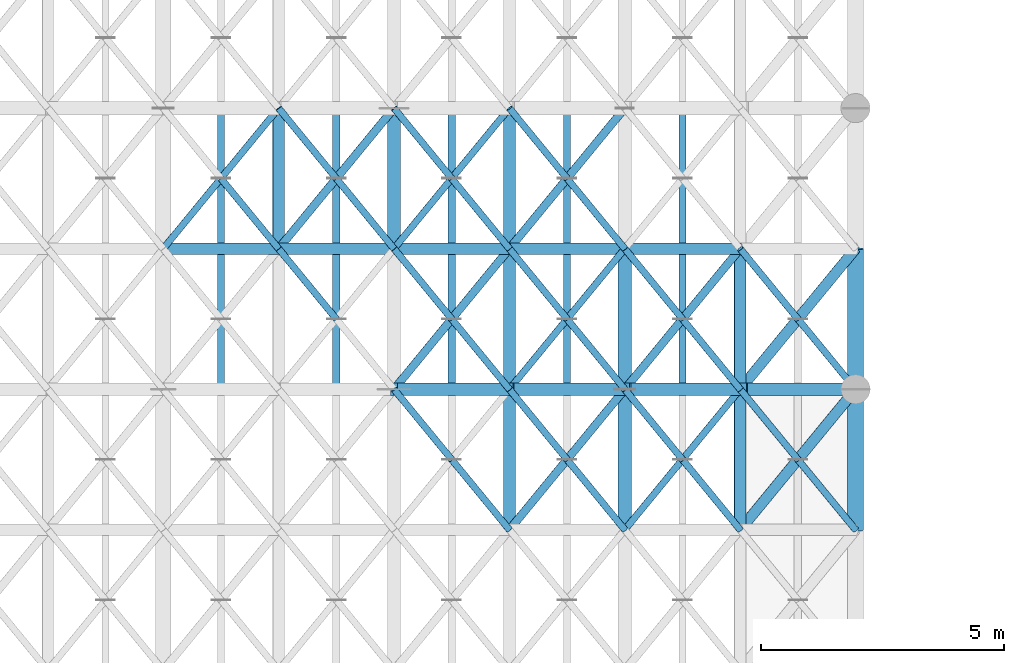
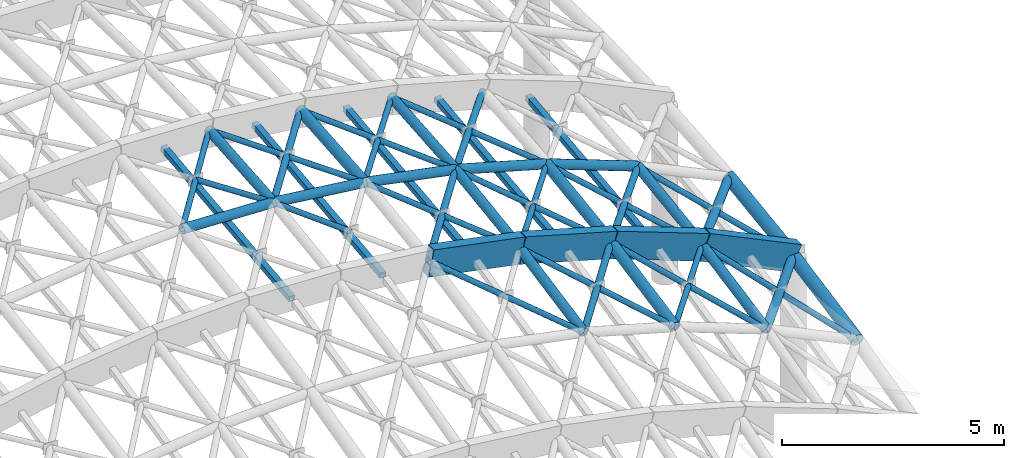
# One storey, part 41 of 146: 56 members, 4 beams.
"""IFC4 building model written with IfcOpenShell, lengths in metres."""

from ifc_helpers import new_model, si_unit, direction, frame, origin, origin_2d, place, context, subcontext, project, spatial, rectangle, hollow_rectangle, hollow_circle, extrude, material, material_profile, profile_set, type_object, element, save


model = new_model("IFC4")

# Units and contexts
model_context = context("Model", 3, precision=1e-05, world=origin(), true_north=direction((0.0, 1.0)))
body_context = subcontext(model_context, "Body", "Model", "MODEL_VIEW")
ifc_project = project(units=[si_unit("LENGTHUNIT", "METRE"), si_unit("AREAUNIT", "SQUARE_METRE"), si_unit("VOLUMEUNIT", "CUBIC_METRE"), si_unit("PLANEANGLEUNIT", "RADIAN"), si_unit("MASSUNIT", "GRAM", prefix="KILO")], contexts=[model_context])

# Site, building, storey
site_placement = place(None, origin())
site = spatial("IfcSite", under=ifc_project, at=site_placement, CompositionType="ELEMENT")
building_placement = place(site_placement, origin())
building = spatial("IfcBuilding", under=site, at=building_placement, Name="Valcora Specialist Clinic", CompositionType="ELEMENT")
storey_placement = place(building_placement, frame((0.0, 0.0, 9.52001953125)))
storey = spatial("IfcBuildingStorey", under=building, at=storey_placement, Name="L02", CompositionType="ELEMENT", Elevation=9.52001953125)

# Beams
ifc_material_1 = material(Name="Glulam Conifer Class 24F", Category="wood")
ifc_material_profile_1 = material_profile(ifc_material_1, rectangle(XDim=0.260009765625, YDim=0.719970703125, at=origin_2d()), Name="GL-ARC-260X720")
ifc_profile_set_1 = profile_set([ifc_material_profile_1], Name="Glulam Conifer Class 24F")
beam_type = type_object("IfcBeamType", Name="TY-AR-GL720", PredefinedType="JOIST", material=ifc_profile_set_1)
beam_1_placement = place(storey_placement, frame((19.75, 50.321044921875, 7.296142578125), z_axis=(0.980592304853, 0.0, -0.19605798036), x_axis=(0.0, 1.0, 0.0)))
element("IfcBeam", 1, at=beam_1_placement, inside=storey, type_object=beam_type, Name="Gridshell glulam arch chord BM-GSA-033", PredefinedType="JOIST", context=body_context, shape_type="SweptSolid", body=[
    extrude(rectangle(XDim=0.260009765625, YDim=0.719970703125, at=origin_2d()), origin(), (0.0, 0.0, 1.0), 2.422119140625),
])
beam_2_placement = place(storey_placement, frame((22.125, 50.321044921875, 6.8212890625), z_axis=(0.961639501517, 0.0, -0.274316366849), x_axis=(0.0, 1.0, 0.0)))
element("IfcBeam", 2, at=beam_2_placement, inside=storey, type_object=beam_type, Name="Gridshell glulam arch chord BM-GSA-034", PredefinedType="JOIST", context=body_context, shape_type="SweptSolid", body=[
    extrude(rectangle(XDim=0.260009765625, YDim=0.719970703125, at=origin_2d()), origin(), (0.0, 0.0, 1.0), 2.4697265625),
])
beam_3_placement = place(storey_placement, frame((24.5, 50.321044921875, 6.143798828125), z_axis=(0.935663448479, 0.0, -0.352893625871), x_axis=(0.0, 1.0, 0.0)))
element("IfcBeam", 3, at=beam_3_placement, inside=storey, type_object=beam_type, Name="Gridshell glulam arch chord BM-GSA-035", PredefinedType="JOIST", context=body_context, shape_type="SweptSolid", body=[
    extrude(rectangle(XDim=0.260009765625, YDim=0.719970703125, at=origin_2d()), origin(), (0.0, 0.0, 1.0), 2.538330078125),
])
beam_4_placement = place(storey_placement, frame((26.875, 50.321044921875, 5.248046875), z_axis=(0.902225234529, 0.0, -0.431265146028), x_axis=(0.0, 1.0, 0.0)))
element("IfcBeam", 4, at=beam_4_placement, inside=storey, type_object=beam_type, Name="Gridshell glulam arch chord BM-GSA-036", PredefinedType="JOIST", context=body_context, shape_type="SweptSolid", body=[
    extrude(rectangle(XDim=0.260009765625, YDim=0.719970703125, at=origin_2d()), origin(), (0.0, 0.0, 1.0), 2.63232421875),
])

# Members
ifc_material_2 = material(Name="Steel ASTM A500 Grade C", Category="steel")
ifc_material_profile_2 = material_profile(ifc_material_2, hollow_circle(Radius=0.1220703125, WallThickness=0.010009765625, at=origin_2d()), Name="ST-CHS-244X10")
ifc_profile_set_2 = profile_set([ifc_material_profile_2], Name="Steel ASTM A500 Grade C")
member_type_1 = type_object("IfcMemberType", Name="TY-MB-GSC244", PredefinedType="CHORD", material=ifc_profile_set_2)
member_1_placement = place(storey_placement, frame((17.375, 53.214111328125, 7.98388671875), z_axis=(0.0, 0.99650678891, 0.083511793517), x_axis=(-1.0, 0.0, 0.0)))
element("IfcMember", 5, at=member_1_placement, inside=storey, type_object=member_type_1, Name="Gridshell longitudinal chord MB-L02-0104", PredefinedType="CHORD", context=body_context, shape_type="SweptSolid", body=[
    extrude(hollow_circle(Radius=0.1220703125, WallThickness=0.010009765625, at=origin_2d()), origin(), (0.0, 0.0, 1.0), 2.903076171875),
])
member_2_placement = place(storey_placement, frame((22.125, 47.428955078125, 6.2470703125), z_axis=(0.0, 0.980853597768, 0.194746552587), x_axis=(-1.0, 0.0, 0.0)))
element("IfcMember", 6, at=member_2_placement, inside=storey, type_object=member_type_1, Name="Gridshell longitudinal chord MB-L02-0130", PredefinedType="CHORD", context=body_context, shape_type="SweptSolid", body=[
    extrude(hollow_circle(Radius=0.1220703125, WallThickness=0.010009765625, at=origin_2d()), origin(), (0.0, 0.0, 1.0), 2.948486328125),
])
member_3_placement = place(storey_placement, frame((22.125, 50.321044921875, 6.8212890625), z_axis=(0.0, 0.990272777431, 0.139139592778), x_axis=(-1.0, 0.0, 0.0)))
element("IfcMember", 7, at=member_3_placement, inside=storey, type_object=member_type_1, Name="Gridshell longitudinal chord MB-L02-0131", PredefinedType="CHORD", context=body_context, shape_type="SweptSolid", body=[
    extrude(hollow_circle(Radius=0.1220703125, WallThickness=0.010009765625, at=origin_2d()), origin(), (0.0, 0.0, 1.0), 2.92138671875),
])
member_4_placement = place(storey_placement, frame((22.125, 53.214111328125, 7.227783203125), z_axis=(0.0, 0.99650678891, 0.083511793517), x_axis=(-1.0, 0.0, 0.0)))
element("IfcMember", 8, at=member_4_placement, inside=storey, type_object=member_type_1, Name="Gridshell longitudinal chord MB-L02-0132", PredefinedType="CHORD", context=body_context, shape_type="SweptSolid", body=[
    extrude(hollow_circle(Radius=0.1220703125, WallThickness=0.010009765625, at=origin_2d()), origin(), (0.0, 0.0, 1.0), 2.903076171875),
])
member_5_placement = place(storey_placement, frame((26.875, 47.428955078125, 4.673583984375), z_axis=(0.0, 0.980837778433, 0.194826210759), x_axis=(-1.0, 0.0, 0.0)))
element("IfcMember", 9, at=member_5_placement, inside=storey, type_object=member_type_1, Name="Gridshell longitudinal chord MB-L02-0158", PredefinedType="CHORD", context=body_context, shape_type="SweptSolid", body=[
    extrude(hollow_circle(Radius=0.1220703125, WallThickness=0.010009765625, at=origin_2d()), origin(), (0.0, 0.0, 1.0), 2.948486328125),
])
member_6_placement = place(storey_placement, frame((26.875, 50.321044921875, 5.248046875), z_axis=(0.0, 0.990272777431, 0.139139592778), x_axis=(-1.0, 0.0, 0.0)))
element("IfcMember", 10, at=member_6_placement, inside=storey, type_object=member_type_1, Name="Gridshell longitudinal chord MB-L02-0159", PredefinedType="CHORD", context=body_context, shape_type="SweptSolid", body=[
    extrude(hollow_circle(Radius=0.1220703125, WallThickness=0.010009765625, at=origin_2d()), origin(), (0.0, 0.0, 1.0), 2.92138671875),
])
member_7_placement = place(storey_placement, frame((15.0, 53.214111328125, 8.0771484375), z_axis=(0.999229898969, 0.0, -0.039237851707), x_axis=(0.0, 1.0, 0.0)))
element("IfcMember", 11, at=member_7_placement, inside=storey, type_object=member_type_1, Name="Gridshell secondary transverse chord MB-L02-0297", PredefinedType="CHORD", context=body_context, shape_type="SweptSolid", body=[
    extrude(hollow_circle(Radius=0.1220703125, WallThickness=0.010009765625, at=origin_2d()), origin(), (0.0, 0.0, 1.0), 2.376708984375),
])
member_8_placement = place(storey_placement, frame((17.375, 53.214111328125, 7.98388671875), z_axis=(0.993061123194, 0.0, -0.117599343536), x_axis=(0.0, 1.0, 0.0)))
element("IfcMember", 12, at=member_8_placement, inside=storey, type_object=member_type_1, Name="Gridshell secondary transverse chord MB-L02-0298", PredefinedType="CHORD", context=body_context, shape_type="SweptSolid", body=[
    extrude(hollow_circle(Radius=0.1220703125, WallThickness=0.010009765625, at=origin_2d()), origin(), (0.0, 0.0, 1.0), 2.3916015625),
])
member_9_placement = place(storey_placement, frame((19.75, 53.214111328125, 7.70263671875), z_axis=(0.980592304853, 0.0, -0.19605798036), x_axis=(0.0, 1.0, 0.0)))
element("IfcMember", 13, at=member_9_placement, inside=storey, type_object=member_type_1, Name="Gridshell secondary transverse chord MB-L02-0299", PredefinedType="CHORD", context=body_context, shape_type="SweptSolid", body=[
    extrude(hollow_circle(Radius=0.1220703125, WallThickness=0.010009765625, at=origin_2d()), origin(), (0.0, 0.0, 1.0), 2.422119140625),
])
member_10_placement = place(storey_placement, frame((22.125, 53.214111328125, 7.227783203125), z_axis=(0.961613421173, 0.0, -0.274407777259), x_axis=(0.0, 1.0, 0.0)))
element("IfcMember", 14, at=member_10_placement, inside=storey, type_object=member_type_1, Name="Gridshell secondary transverse chord MB-L02-0300", PredefinedType="CHORD", context=body_context, shape_type="SweptSolid", body=[
    extrude(hollow_circle(Radius=0.1220703125, WallThickness=0.010009765625, at=origin_2d()), origin(), (0.0, 0.0, 1.0), 2.4697265625),
])
member_11_placement = place(storey_placement, frame((24.5, 53.214111328125, 6.550048828125), z_axis=(0.935695204238, 0.0, -0.352809417059), x_axis=(0.0, 1.0, 0.0)))
element("IfcMember", 15, at=member_11_placement, inside=storey, type_object=member_type_1, Name="Gridshell secondary transverse chord MB-L02-0301", PredefinedType="CHORD", context=body_context, shape_type="SweptSolid", body=[
    extrude(hollow_circle(Radius=0.1220703125, WallThickness=0.010009765625, at=origin_2d()), origin(), (0.0, 0.0, 1.0), 2.538330078125),
])
ifc_material_profile_3 = material_profile(ifc_material_2, hollow_circle(Radius=0.136474609375, WallThickness=0.011962890625, at=origin_2d()), Name="ST-CHS-273X12")
ifc_profile_set_3 = profile_set([ifc_material_profile_3], Name="Steel ASTM A500 Grade C")
member_type_2 = type_object("IfcMemberType", Name="TY-MB-GSC273", PredefinedType="CHORD", material=ifc_profile_set_3)
member_12_placement = place(storey_placement, frame((19.75, 53.214111328125, 7.70263671875), z_axis=(0.0, 0.99650678891, 0.083511793517), x_axis=(-1.0, 0.0, 0.0)))
element("IfcMember", 16, at=member_12_placement, inside=storey, type_object=member_type_2, Name="Gridshell longitudinal chord MB-L02-0118", PredefinedType="CHORD", context=body_context, shape_type="SweptSolid", body=[
    extrude(hollow_circle(Radius=0.136474609375, WallThickness=0.011962890625, at=origin_2d()), origin(), (0.0, 0.0, 1.0), 2.903076171875),
])
member_13_placement = place(storey_placement, frame((24.5, 47.428955078125, 5.5693359375), z_axis=(0.0, 0.980837778433, 0.194826210759), x_axis=(-1.0, 0.0, 0.0)))
element("IfcMember", 17, at=member_13_placement, inside=storey, type_object=member_type_2, Name="Gridshell longitudinal chord MB-L02-0144", PredefinedType="CHORD", context=body_context, shape_type="SweptSolid", body=[
    extrude(hollow_circle(Radius=0.136474609375, WallThickness=0.011962890625, at=origin_2d()), origin(), (0.0, 0.0, 1.0), 2.948486328125),
])
member_14_placement = place(storey_placement, frame((24.5, 50.321044921875, 6.143798828125), z_axis=(0.0, 0.990284288594, 0.139057641875), x_axis=(-1.0, 0.0, 0.0)))
element("IfcMember", 18, at=member_14_placement, inside=storey, type_object=member_type_2, Name="Gridshell longitudinal chord MB-L02-0145", PredefinedType="CHORD", context=body_context, shape_type="SweptSolid", body=[
    extrude(hollow_circle(Radius=0.136474609375, WallThickness=0.011962890625, at=origin_2d()), origin(), (0.0, 0.0, 1.0), 2.92138671875),
])
ifc_material_profile_4 = material_profile(ifc_material_2, hollow_circle(Radius=0.162109375, WallThickness=0.011962890625, at=origin_2d()), Name="ST-CHS-324X12")
ifc_profile_set_4 = profile_set([ifc_material_profile_4], Name="Steel ASTM A500 Grade C")
member_type_3 = type_object("IfcMemberType", Name="TY-MB-GSC324", PredefinedType="CHORD", material=ifc_profile_set_4)
member_15_placement = place(storey_placement, frame((29.25, 47.428955078125, 3.538330078125), z_axis=(0.0, 0.980837778433, 0.194826210759), x_axis=(-1.0, 0.0, 0.0)))
element("IfcMember", 19, at=member_15_placement, inside=storey, type_object=member_type_3, Name="Gridshell longitudinal chord MB-L02-0172", PredefinedType="CHORD", context=body_context, shape_type="SweptSolid", body=[
    extrude(hollow_circle(Radius=0.162109375, WallThickness=0.011962890625, at=origin_2d()), origin(), (0.0, 0.0, 1.0), 2.948486328125),
])
member_16_placement = place(storey_placement, frame((29.25, 50.321044921875, 4.11279296875), z_axis=(0.0, 0.990272777431, 0.139139592778), x_axis=(-1.0, 0.0, 0.0)))
element("IfcMember", 20, at=member_16_placement, inside=storey, type_object=member_type_3, Name="Gridshell longitudinal chord MB-L02-0173", PredefinedType="CHORD", context=body_context, shape_type="SweptSolid", body=[
    extrude(hollow_circle(Radius=0.162109375, WallThickness=0.011962890625, at=origin_2d()), origin(), (0.0, 0.0, 1.0), 2.92138671875),
])
ifc_material_profile_5 = material_profile(ifc_material_2, hollow_circle(Radius=0.070068359375, WallThickness=0.006103515625, at=origin_2d()), Name="ST-CHS-140X6")
ifc_profile_set_5 = profile_set([ifc_material_profile_5], Name="Steel ASTM A500 Grade C")
member_type_4 = type_object("IfcMemberType", Name="TY-MB-GSD140", PredefinedType="BRACE", material=ifc_profile_set_5)
member_17_placement = place(storey_placement, frame((15.0, 53.214111328125, 8.0771484375), z_axis=(0.63403714278, 0.772276532154, 0.03982285097), x_axis=(-0.772889622479, 0.634540488436, 0.0)))
element("IfcMember", 21, at=member_17_placement, inside=storey, type_object=member_type_4, Name="Gridshell primary diagrid MB-L02-0529", PredefinedType="BRACE", context=body_context, shape_type="SweptSolid", body=[
    extrude(hollow_circle(Radius=0.070068359375, WallThickness=0.006103515625, at=origin_2d()), origin(), (0.0, 0.0, 1.0), 3.745849609375),
])
member_18_placement = place(storey_placement, frame((17.375, 53.214111328125, 7.98388671875), z_axis=(-0.632038908562, 0.76977765097, 0.089270298146), x_axis=(-0.772863356881, -0.634572479384, 0.0)))
element("IfcMember", 22, at=member_18_placement, inside=storey, type_object=member_type_4, Name="Gridshell split counter diagrid A MB-L02-0530", PredefinedType="BRACE", context=body_context, shape_type="SweptSolid", body=[
    extrude(hollow_circle(Radius=0.070068359375, WallThickness=0.006103515625, at=origin_2d()), origin(), (0.0, 0.0, 1.0), 1.87890625),
])
member_19_placement = place(storey_placement, frame((19.75, 53.214111328125, 7.70263671875), z_axis=(-0.628444748183, 0.765400223733, 0.138635118174), x_axis=(-0.772863356881, -0.634572479384, 0.0)))
element("IfcMember", 23, at=member_19_placement, inside=storey, type_object=member_type_4, Name="Gridshell split counter diagrid A MB-L02-0558", PredefinedType="BRACE", context=body_context, shape_type="SweptSolid", body=[
    extrude(hollow_circle(Radius=0.070068359375, WallThickness=0.006103515625, at=origin_2d()), origin(), (0.0, 0.0, 1.0), 1.8896484375),
])
member_20_placement = place(storey_placement, frame((22.125, 47.428955078125, 6.2470703125), z_axis=(-0.611090339933, 0.744138175045, 0.26986473071), x_axis=(-0.772810813765, -0.634636467694, 0.0)))
element("IfcMember", 24, at=member_20_placement, inside=storey, type_object=member_type_4, Name="Gridshell split counter diagrid A MB-L02-0582", PredefinedType="BRACE", context=body_context, shape_type="SweptSolid", body=[
    extrude(hollow_circle(Radius=0.070068359375, WallThickness=0.006103515625, at=origin_2d()), origin(), (0.0, 0.0, 1.0), 1.943359375),
])
member_21_placement = place(storey_placement, frame((22.125, 50.321044921875, 6.8212890625), z_axis=(-0.617618322937, 0.752341398726, 0.229194299527), x_axis=(-0.772915884105, -0.634508499626, 0.0)))
element("IfcMember", 25, at=member_21_placement, inside=storey, type_object=member_type_4, Name="Gridshell split counter diagrid A MB-L02-0584", PredefinedType="BRACE", context=body_context, shape_type="SweptSolid", body=[
    extrude(hollow_circle(Radius=0.070068359375, WallThickness=0.006103515625, at=origin_2d()), origin(), (0.0, 0.0, 1.0), 1.922607421875),
])
member_22_placement = place(storey_placement, frame((19.75, 53.214111328125, 7.70263671875), z_axis=(0.633320597503, 0.771403758204, -0.061977920315), x_axis=(-0.772889622479, 0.634540488436, 0.0)))
element("IfcMember", 26, at=member_22_placement, inside=storey, type_object=member_type_4, Name="Gridshell primary diagrid MB-L02-0585", PredefinedType="BRACE", context=body_context, shape_type="SweptSolid", body=[
    extrude(hollow_circle(Radius=0.070068359375, WallThickness=0.006103515625, at=origin_2d()), origin(), (0.0, 0.0, 1.0), 3.75),
])
member_23_placement = place(storey_placement, frame((22.125, 53.214111328125, 7.227783203125), z_axis=(-0.623230122484, 0.759049187005, 0.188224722436), x_axis=(-0.772863356881, -0.634572479384, 0.0)))
element("IfcMember", 27, at=member_23_placement, inside=storey, type_object=member_type_4, Name="Gridshell split counter diagrid A MB-L02-0586", PredefinedType="BRACE", context=body_context, shape_type="SweptSolid", body=[
    extrude(hollow_circle(Radius=0.070068359375, WallThickness=0.006103515625, at=origin_2d()), origin(), (0.0, 0.0, 1.0), 1.905517578125),
])
member_24_placement = place(storey_placement, frame((24.5, 47.428955078125, 5.5693359375), z_axis=(-0.601850593551, 0.732886732237, 0.317258413212), x_axis=(-0.772810813765, -0.634636467694, 0.0)))
element("IfcMember", 28, at=member_24_placement, inside=storey, type_object=member_type_4, Name="Gridshell split counter diagrid A MB-L02-0610", PredefinedType="BRACE", context=body_context, shape_type="SweptSolid", body=[
    extrude(hollow_circle(Radius=0.070068359375, WallThickness=0.006103515625, at=origin_2d()), origin(), (0.0, 0.0, 1.0), 1.97314453125),
])
member_25_placement = place(storey_placement, frame((22.125, 50.321044921875, 6.8212890625), z_axis=(0.632849076957, 0.770894486219, -0.072275423982), x_axis=(-0.772915884105, 0.634508499626, 0.0)))
element("IfcMember", 29, at=member_25_placement, inside=storey, type_object=member_type_4, Name="Gridshell primary diagrid MB-L02-0611", PredefinedType="BRACE", context=body_context, shape_type="SweptSolid", body=[
    extrude(hollow_circle(Radius=0.070068359375, WallThickness=0.006103515625, at=origin_2d()), origin(), (0.0, 0.0, 1.0), 3.7529296875),
])
member_26_placement = place(storey_placement, frame((24.5, 50.321044921875, 6.143798828125), z_axis=(-0.609465809075, 0.742410550734, 0.278169016477), x_axis=(-0.772915884105, -0.634508499626, 0.0)))
element("IfcMember", 30, at=member_26_placement, inside=storey, type_object=member_type_4, Name="Gridshell split counter diagrid A MB-L02-0612", PredefinedType="BRACE", context=body_context, shape_type="SweptSolid", body=[
    extrude(hollow_circle(Radius=0.070068359375, WallThickness=0.006103515625, at=origin_2d()), origin(), (0.0, 0.0, 1.0), 1.948486328125),
])
member_27_placement = place(storey_placement, frame((24.5, 53.214111328125, 6.550048828125), z_axis=(-0.61621232989, 0.750502023492, 0.23880761551), x_axis=(-0.772863356881, -0.634572479384, 0.0)))
element("IfcMember", 31, at=member_27_placement, inside=storey, type_object=member_type_4, Name="Gridshell split counter diagrid A MB-L02-0614", PredefinedType="BRACE", context=body_context, shape_type="SweptSolid", body=[
    extrude(hollow_circle(Radius=0.070068359375, WallThickness=0.006103515625, at=origin_2d()), origin(), (0.0, 0.0, 1.0), 1.927001953125),
])
member_28_placement = place(storey_placement, frame((24.5, 47.428955078125, 5.5693359375), z_axis=(0.632310428758, 0.769978344888, -0.085538705206), x_axis=(-0.772810813765, 0.634636467694, 0.0)))
element("IfcMember", 32, at=member_28_placement, inside=storey, type_object=member_type_4, Name="Gridshell primary diagrid MB-L02-0637", PredefinedType="BRACE", context=body_context, shape_type="SweptSolid", body=[
    extrude(hollow_circle(Radius=0.070068359375, WallThickness=0.006103515625, at=origin_2d()), origin(), (0.0, 0.0, 1.0), 3.756103515625),
])
member_29_placement = place(storey_placement, frame((26.875, 47.428955078125, 4.673583984375), z_axis=(-0.590687465393, 0.719293145049, 0.365657886163), x_axis=(-0.772810813765, -0.634636467694, 0.0)))
element("IfcMember", 33, at=member_29_placement, inside=storey, type_object=member_type_4, Name="Gridshell split counter diagrid A MB-L02-0638", PredefinedType="BRACE", context=body_context, shape_type="SweptSolid", body=[
    extrude(hollow_circle(Radius=0.070068359375, WallThickness=0.006103515625, at=origin_2d()), origin(), (0.0, 0.0, 1.0), 2.01025390625),
])
member_30_placement = place(storey_placement, frame((26.875, 50.321044921875, 5.248046875), z_axis=(-0.599275643035, 0.729997570926, 0.328591311673), x_axis=(-0.772915884105, -0.634508499626, 0.0)))
element("IfcMember", 34, at=member_30_placement, inside=storey, type_object=member_type_4, Name="Gridshell split counter diagrid A MB-L02-0640", PredefinedType="BRACE", context=body_context, shape_type="SweptSolid", body=[
    extrude(hollow_circle(Radius=0.070068359375, WallThickness=0.006103515625, at=origin_2d()), origin(), (0.0, 0.0, 1.0), 1.9814453125),
])
member_31_placement = place(storey_placement, frame((29.25, 47.428955078125, 3.538330078125), z_axis=(-0.577261062513, 0.702943518353, 0.415499790267), x_axis=(-0.772810813765, -0.634636467694, 0.0)))
element("IfcMember", 35, at=member_31_placement, inside=storey, type_object=member_type_4, Name="Gridshell split counter diagrid A MB-L02-0666", PredefinedType="BRACE", context=body_context, shape_type="SweptSolid", body=[
    extrude(hollow_circle(Radius=0.070068359375, WallThickness=0.006103515625, at=origin_2d()), origin(), (0.0, 0.0, 1.0), 2.05712890625),
])
member_32_placement = place(storey_placement, frame((29.25, 50.321044921875, 4.11279296875), z_axis=(-0.586702530765, 0.714681845144, 0.380801786518), x_axis=(-0.772915884105, -0.634508499626, 0.0)))
element("IfcMember", 36, at=member_32_placement, inside=storey, type_object=member_type_4, Name="Gridshell split counter diagrid A MB-L02-0668", PredefinedType="BRACE", context=body_context, shape_type="SweptSolid", body=[
    extrude(hollow_circle(Radius=0.070068359375, WallThickness=0.006103515625, at=origin_2d()), origin(), (0.0, 0.0, 1.0), 2.02392578125),
])
member_33_placement = place(storey_placement, frame((18.5625, 51.767578125, 7.639892578125), z_axis=(-0.62405456245, 0.760181595912, 0.180775674032), x_axis=(-0.772915884105, -0.634508499626, 0.0)))
element("IfcMember", 37, at=member_33_placement, inside=storey, type_object=member_type_4, Name="Gridshell split counter diagrid B 103", PredefinedType="BRACE", context=body_context, shape_type="SweptSolid", body=[
    extrude(hollow_circle(Radius=0.070068359375, WallThickness=0.006103515625, at=origin_2d()), origin(), (0.0, 0.0, 1.0), 1.90283203125),
])
member_34_placement = place(storey_placement, frame((18.5625, 54.660400390625, 7.964599609375), z_axis=(-0.628393852353, 0.76546742911, 0.138494697722), x_axis=(-0.772915884105, -0.634508499626, 0.0)))
element("IfcMember", 38, at=member_34_placement, inside=storey, type_object=member_type_4, Name="Gridshell split counter diagrid B 104", PredefinedType="BRACE", context=body_context, shape_type="SweptSolid", body=[
    extrude(hollow_circle(Radius=0.070068359375, WallThickness=0.006103515625, at=origin_2d()), origin(), (0.0, 0.0, 1.0), 1.8896484375),
])
member_35_placement = place(storey_placement, frame((20.9375, 48.875, 6.771484375), z_axis=(-0.611069617421, 0.744112940786, 0.269981210493), x_axis=(-0.772810813765, -0.634636467694, 0.0)))
element("IfcMember", 39, at=member_35_placement, inside=storey, type_object=member_type_4, Name="Gridshell split counter diagrid B 116", PredefinedType="BRACE", context=body_context, shape_type="SweptSolid", body=[
    extrude(hollow_circle(Radius=0.070068359375, WallThickness=0.006103515625, at=origin_2d()), origin(), (0.0, 0.0, 1.0), 1.943359375),
])
member_36_placement = place(storey_placement, frame((20.9375, 51.767578125, 7.261962890625), z_axis=(-0.617618322937, 0.752341398726, 0.229194299527), x_axis=(-0.772915884105, -0.634508499626, 0.0)))
element("IfcMember", 40, at=member_36_placement, inside=storey, type_object=member_type_4, Name="Gridshell split counter diagrid B 117", PredefinedType="BRACE", context=body_context, shape_type="SweptSolid", body=[
    extrude(hollow_circle(Radius=0.070068359375, WallThickness=0.006103515625, at=origin_2d()), origin(), (0.0, 0.0, 1.0), 1.922607421875),
])
member_37_placement = place(storey_placement, frame((20.9375, 54.660400390625, 7.58642578125), z_axis=(-0.623169512171, 0.759103486763, 0.188206417224), x_axis=(-0.772915884105, -0.634508499626, 0.0)))
element("IfcMember", 41, at=member_37_placement, inside=storey, type_object=member_type_4, Name="Gridshell split counter diagrid B 118", PredefinedType="BRACE", context=body_context, shape_type="SweptSolid", body=[
    extrude(hollow_circle(Radius=0.070068359375, WallThickness=0.006103515625, at=origin_2d()), origin(), (0.0, 0.0, 1.0), 1.905517578125),
])
member_38_placement = place(storey_placement, frame((23.3125, 48.875, 6.1953125), z_axis=(-0.601850593551, 0.732886732237, 0.317258413212), x_axis=(-0.772810813765, -0.634636467694, 0.0)))
element("IfcMember", 42, at=member_38_placement, inside=storey, type_object=member_type_4, Name="Gridshell split counter diagrid B 130", PredefinedType="BRACE", context=body_context, shape_type="SweptSolid", body=[
    extrude(hollow_circle(Radius=0.070068359375, WallThickness=0.006103515625, at=origin_2d()), origin(), (0.0, 0.0, 1.0), 1.97314453125),
])
member_39_placement = place(storey_placement, frame((23.3125, 51.767578125, 6.685791015625), z_axis=(-0.609465809075, 0.742410550734, 0.278169016477), x_axis=(-0.772915884105, -0.634508499626, 0.0)))
element("IfcMember", 43, at=member_39_placement, inside=storey, type_object=member_type_4, Name="Gridshell split counter diagrid B 131", PredefinedType="BRACE", context=body_context, shape_type="SweptSolid", body=[
    extrude(hollow_circle(Radius=0.070068359375, WallThickness=0.006103515625, at=origin_2d()), origin(), (0.0, 0.0, 1.0), 1.948486328125),
])
member_40_placement = place(storey_placement, frame((23.3125, 54.660400390625, 7.01025390625), z_axis=(-0.616172377465, 0.750580044506, 0.238665452127), x_axis=(-0.772915884105, -0.634508499626, 0.0)))
element("IfcMember", 44, at=member_40_placement, inside=storey, type_object=member_type_4, Name="Gridshell split counter diagrid B 132", PredefinedType="BRACE", context=body_context, shape_type="SweptSolid", body=[
    extrude(hollow_circle(Radius=0.070068359375, WallThickness=0.006103515625, at=origin_2d()), origin(), (0.0, 0.0, 1.0), 1.92724609375),
])
member_41_placement = place(storey_placement, frame((25.6875, 48.875, 5.40869140625), z_axis=(-0.590687465393, 0.719293145049, 0.365657886163), x_axis=(-0.772810813765, -0.634636467694, 0.0)))
element("IfcMember", 45, at=member_41_placement, inside=storey, type_object=member_type_4, Name="Gridshell split counter diagrid B 144", PredefinedType="BRACE", context=body_context, shape_type="SweptSolid", body=[
    extrude(hollow_circle(Radius=0.070068359375, WallThickness=0.006103515625, at=origin_2d()), origin(), (0.0, 0.0, 1.0), 2.01025390625),
])
member_42_placement = place(storey_placement, frame((25.6875, 51.767578125, 5.899169921875), z_axis=(-0.599299901354, 0.73002712079, 0.328481401524), x_axis=(-0.772915884105, -0.634508499626, 0.0)))
element("IfcMember", 46, at=member_42_placement, inside=storey, type_object=member_type_4, Name="Gridshell split counter diagrid B 145", PredefinedType="BRACE", context=body_context, shape_type="SweptSolid", body=[
    extrude(hollow_circle(Radius=0.070068359375, WallThickness=0.006103515625, at=origin_2d()), origin(), (0.0, 0.0, 1.0), 1.9814453125),
])
member_43_placement = place(storey_placement, frame((28.0625, 48.875, 4.39306640625), z_axis=(-0.57723259486, 0.702908852664, 0.415597974342), x_axis=(-0.772810813765, -0.634636467694, 0.0)))
element("IfcMember", 47, at=member_43_placement, inside=storey, type_object=member_type_4, Name="Gridshell split counter diagrid B 158", PredefinedType="BRACE", context=body_context, shape_type="SweptSolid", body=[
    extrude(hollow_circle(Radius=0.070068359375, WallThickness=0.006103515625, at=origin_2d()), origin(), (0.0, 0.0, 1.0), 2.05712890625),
])
member_44_placement = place(storey_placement, frame((28.0625, 51.767578125, 4.883544921875), z_axis=(-0.586675579436, 0.714649014835, 0.38090490951), x_axis=(-0.772915884105, -0.634508499626, 0.0)))
element("IfcMember", 48, at=member_44_placement, inside=storey, type_object=member_type_4, Name="Gridshell split counter diagrid B 159", PredefinedType="BRACE", context=body_context, shape_type="SweptSolid", body=[
    extrude(hollow_circle(Radius=0.070068359375, WallThickness=0.006103515625, at=origin_2d()), origin(), (0.0, 0.0, 1.0), 2.024169921875),
])
ifc_material_profile_6 = material_profile(ifc_material_2, hollow_circle(Radius=0.083984375, WallThickness=0.008056640625, at=origin_2d()), Name="ST-CHS-168X8")
ifc_profile_set_6 = profile_set([ifc_material_profile_6], Name="Steel ASTM A500 Grade C")
member_type_5 = type_object("IfcMemberType", Name="TY-MB-GSD168", PredefinedType="BRACE", material=ifc_profile_set_6)
member_45_placement = place(storey_placement, frame((17.375, 53.214111328125, 7.98388671875), z_axis=(0.634506364422, 0.772848058392, -0.010370735192), x_axis=(-0.772889622479, 0.634540488436, 0.0)))
element("IfcMember", 49, at=member_45_placement, inside=storey, type_object=member_type_5, Name="Gridshell primary diagrid MB-L02-0557", PredefinedType="BRACE", context=body_context, shape_type="SweptSolid", body=[
    extrude(hollow_circle(Radius=0.083984375, WallThickness=0.008056640625, at=origin_2d()), origin(), (0.0, 0.0, 1.0), 3.7431640625),
])
for number, where, z_axis, x_axis, name in (
    (50, (19.75, 50.321044921875, 7.296142578125), (0.634402710105, 0.772787018374, -0.018259946426), (-0.772915884105, 0.634508499626, 0.0), "Gridshell primary diagrid MB-L02-0583"),
    (51, (22.125, 47.428955078125, 6.2470703125), (0.634394960135, 0.772516724687, -0.027585224932), (-0.772810813765, 0.634636467694, 0.0), "Gridshell primary diagrid MB-L02-0609"),
):
    element("IfcMember", number, at=place(storey_placement, frame(where, z_axis=z_axis, x_axis=x_axis)), inside=storey, type_object=member_type_5, Name=name, PredefinedType="BRACE", context=body_context, shape_type="SweptSolid", body=[
        extrude(hollow_circle(Radius=0.083984375, WallThickness=0.008056640625, at=origin_2d()), origin(), (0.0, 0.0, 1.0), 3.74365234375),
    ])
member_46_placement = place(storey_placement, frame((22.125, 53.214111328125, 7.227783203125), z_axis=(0.630292093197, 0.76771494781, -0.115523314368), x_axis=(-0.772889622479, 0.634540488436, 0.0)))
element("IfcMember", 52, at=member_46_placement, inside=storey, type_object=member_type_5, Name="Gridshell primary diagrid MB-L02-0613", PredefinedType="BRACE", context=body_context, shape_type="SweptSolid", body=[
    extrude(hollow_circle(Radius=0.083984375, WallThickness=0.008056640625, at=origin_2d()), origin(), (0.0, 0.0, 1.0), 3.76806640625),
])
member_47_placement = place(storey_placement, frame((24.5, 50.321044921875, 6.143798828125), z_axis=(0.629156590735, 0.766396546074, -0.129608327285), x_axis=(-0.772915884105, 0.634508499626, 0.0)))
element("IfcMember", 53, at=member_47_placement, inside=storey, type_object=member_type_5, Name="Gridshell primary diagrid MB-L02-0639", PredefinedType="BRACE", context=body_context, shape_type="SweptSolid", body=[
    extrude(hollow_circle(Radius=0.083984375, WallThickness=0.008056640625, at=origin_2d()), origin(), (0.0, 0.0, 1.0), 3.77490234375),
])
ifc_material_profile_7 = material_profile(ifc_material_2, hollow_circle(Radius=0.109619140625, WallThickness=0.010009765625, at=origin_2d()), Name="ST-CHS-219X10")
ifc_profile_set_7 = profile_set([ifc_material_profile_7], Name="Steel ASTM A500 Grade C")
member_type_6 = type_object("IfcMemberType", Name="TY-MB-GSD219", PredefinedType="BRACE", material=ifc_profile_set_7)
member_48_placement = place(storey_placement, frame((26.875, 47.428955078125, 4.673583984375), z_axis=(0.627628696679, 0.764277296552, -0.148197277577), x_axis=(-0.772810813765, 0.634636467694, 0.0)))
element("IfcMember", 54, at=member_48_placement, inside=storey, type_object=member_type_6, Name="Gridshell primary diagrid MB-L02-0665", PredefinedType="BRACE", context=body_context, shape_type="SweptSolid", body=[
    extrude(hollow_circle(Radius=0.109619140625, WallThickness=0.010009765625, at=origin_2d()), origin(), (0.0, 0.0, 1.0), 3.7841796875),
])
member_49_placement = place(storey_placement, frame((26.875, 50.321044921875, 5.248046875), z_axis=(0.622813873346, 0.758670271294, -0.191108080997), x_axis=(-0.772915884105, 0.634508499626, 0.0)))
element("IfcMember", 55, at=member_49_placement, inside=storey, type_object=member_type_6, Name="Gridshell primary diagrid MB-L02-0667", PredefinedType="BRACE", context=body_context, shape_type="SweptSolid", body=[
    extrude(hollow_circle(Radius=0.109619140625, WallThickness=0.010009765625, at=origin_2d()), origin(), (0.0, 0.0, 1.0), 3.813232421875),
])
ifc_material_profile_8 = material_profile(ifc_material_2, hollow_rectangle(XDim=0.14990234375, YDim=0.14990234375, WallThickness=0.006103515625, at=origin_2d()), Name="ST-RHS-150X150X6")
ifc_profile_set_8 = profile_set([ifc_material_profile_8], Name="Steel ASTM A500 Grade C")
member_type_7 = type_object("IfcMemberType", Name="TY-MB-PR150", PredefinedType="PURLIN", material=ifc_profile_set_8)
member_50_placement = place(storey_placement, frame((16.18798828125, 50.321044921875, 7.50390625), z_axis=(0.0, 0.993769167561, 0.111457801906), x_axis=(-1.0, 0.0, 0.0)))
element("IfcMember", 56, at=member_50_placement, inside=storey, type_object=member_type_7, Name="Gridshell secondary purlin MB-L02-0227", PredefinedType="PURLIN", context=body_context, shape_type="SweptSolid", body=[
    extrude(hollow_rectangle(XDim=0.14990234375, YDim=0.14990234375, WallThickness=0.006103515625, at=origin_2d()), origin(), (0.0, 0.0, 1.0), 5.822265625),
])
member_51_placement = place(storey_placement, frame((18.56201171875, 50.321044921875, 7.31689453125), z_axis=(0.0, 0.993773811353, 0.111416389585), x_axis=(-1.0, 0.0, 0.0)))
element("IfcMember", 57, at=member_51_placement, inside=storey, type_object=member_type_7, Name="Gridshell secondary purlin MB-L02-0234", PredefinedType="PURLIN", context=body_context, shape_type="SweptSolid", body=[
    extrude(hollow_rectangle(XDim=0.14990234375, YDim=0.14990234375, WallThickness=0.006103515625, at=origin_2d()), origin(), (0.0, 0.0, 1.0), 5.822021484375),
])
for number, where, z_axis, x_axis, name in (
    (58, (20.93798828125, 50.321044921875, 6.938720703125), (0.0, 0.993769167561, 0.111457801906), (-1.0, 0.0, 0.0), "Gridshell secondary purlin MB-L02-0241"),
    (59, (23.31201171875, 50.321044921875, 6.362548828125), (0.0, 0.993769167561, 0.111457801906), (-1.0, 0.0, 0.0), "Gridshell secondary purlin MB-L02-0248"),
):
    element("IfcMember", number, at=place(storey_placement, frame(where, z_axis=z_axis, x_axis=x_axis)), inside=storey, type_object=member_type_7, Name=name, PredefinedType="PURLIN", context=body_context, shape_type="SweptSolid", body=[
        extrude(hollow_rectangle(XDim=0.14990234375, YDim=0.14990234375, WallThickness=0.006103515625, at=origin_2d()), origin(), (0.0, 0.0, 1.0), 5.822265625),
    ])
member_52_placement = place(storey_placement, frame((25.68798828125, 50.321044921875, 5.575927734375), z_axis=(0.0, 0.993773811353, 0.111416389585), x_axis=(-1.0, 0.0, 0.0)))
element("IfcMember", 60, at=member_52_placement, inside=storey, type_object=member_type_7, Name="Gridshell secondary purlin MB-L02-0255", PredefinedType="PURLIN", context=body_context, shape_type="SweptSolid", body=[
    extrude(hollow_rectangle(XDim=0.14990234375, YDim=0.14990234375, WallThickness=0.006103515625, at=origin_2d()), origin(), (0.0, 0.0, 1.0), 5.822021484375),
])

save(model, "model.ifc")
